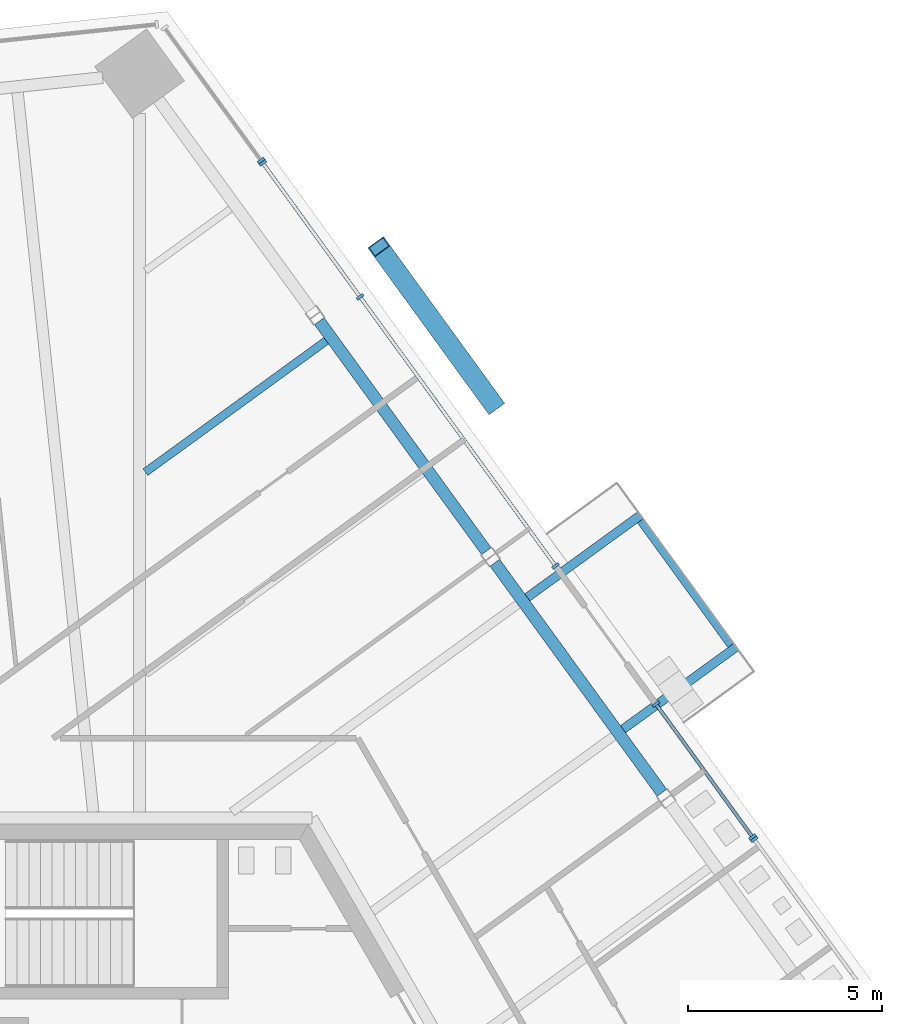
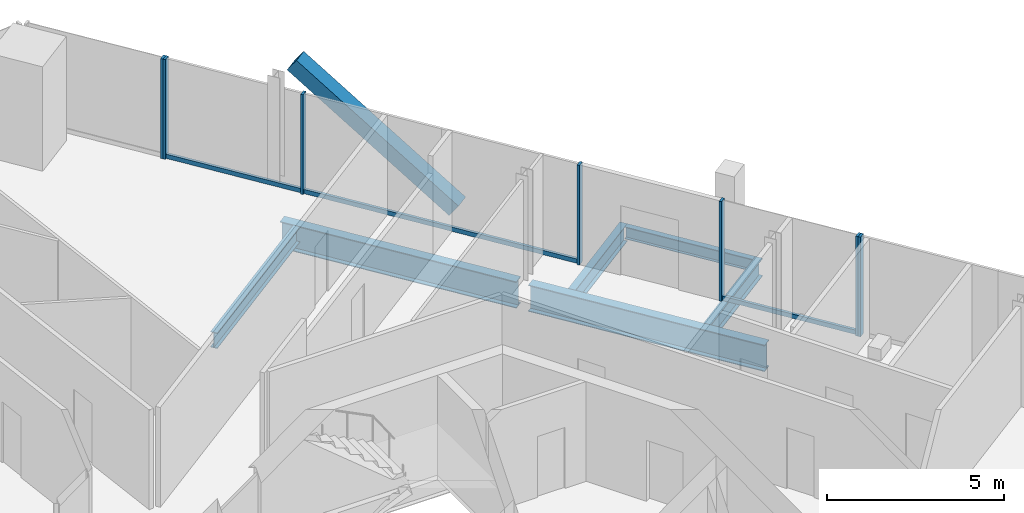
# One storey, part 9 of 19: 11 members, 6 beams, 4 elements without a shape of their own.
"""IFC4 building model written with IfcOpenShell, lengths in metres."""

import ifcopenshell
import ifcopenshell.guid

model = None  # the IFC model being written
_history = None  # IfcOwnerHistory: only IFC2X3 demands one
_inside = {}  # id of a spatial element -> (the spatial element, [elements in it])
_under = {}  # id of a project, library or spatial element -> (it, [spatial elements below it])
_declared = {}  # id of a project -> (the project, [libraries it declares])
_typed = {}  # id of a type object -> (the type object, [elements of that type])
_made_of = {}  # id of a material, layer set ... -> (it, [elements and type objects made of it])


def new_model(schema):
    """Start an empty IFC model of exactly this schema.

    Asked for "IFC4X3", IfcOpenShell would pick the latest addendum, in which some entities
    have other attributes; the version numbers below select the first issue.
    IFC2X3 requires an IfcOwnerHistory on every rooted entity: one is made here for all.
    """
    global model, _history
    if schema == "IFC4X3":
        model = ifcopenshell.file(schema_version=(4, 3, 0, 0))
    else:
        model = ifcopenshell.file(schema=schema)
    _inside.clear()
    _under.clear()
    _declared.clear()
    _typed.clear()
    _made_of.clear()
    _history = None
    if model.schema == "IFC2X3":
        org = make("IfcOrganization", Name="unknown")
        user = make(
            "IfcPersonAndOrganization",
            ThePerson=make("IfcPerson", FamilyName="unknown"),
            TheOrganization=org,
        )
        app = make(
            "IfcApplication",
            ApplicationDeveloper=org,
            Version="unknown",
            ApplicationFullName="unknown",
            ApplicationIdentifier="unknown",
        )
        _history = make(
            "IfcOwnerHistory",
            OwningUser=user,
            OwningApplication=app,
            ChangeAction="ADDED",
            CreationDate=0,
        )
    return model


def make(cls, **values):
    """One entity of the class cls with the attributes given. An attribute that is None is left unset."""
    return model.create_entity(
        cls, **{name: value for name, value in values.items() if value is not None}
    )


def rooted(cls, **values):
    """An entity with a GlobalId (a new one), such as an element, a storey or a relation."""
    return make(cls, GlobalId=ifcopenshell.guid.new(), OwnerHistory=_history, **values)


def si_unit(unit_type, name, prefix=None):
    """IfcSIUnit, for example si_unit("LENGTHUNIT", "METRE", prefix="MILLI")."""
    return make("IfcSIUnit", UnitType=unit_type, Prefix=prefix, Name=name)


def assignment(units):
    """IfcUnitAssignment: the units of a project."""
    return None if units is None else make("IfcUnitAssignment", Units=units)


def point(xyz):
    """IfcCartesianPoint."""
    return None if xyz is None else make("IfcCartesianPoint", Coordinates=xyz)


def direction(xyz):
    """IfcDirection."""
    return None if xyz is None else make("IfcDirection", DirectionRatios=xyz)


def frame(location, z_axis=None, x_axis=None):
    """IfcAxis2Placement3D, a coordinate frame: its origin and axes. An axis left out is left unset."""
    return make(
        "IfcAxis2Placement3D",
        Location=point(location),
        Axis=direction(z_axis),
        RefDirection=direction(x_axis),
    )


def frame_2d(location, x_axis=None):
    """IfcAxis2Placement2D, a coordinate frame in the plane: its origin and x axis."""
    return make(
        "IfcAxis2Placement2D", Location=point(location), RefDirection=direction(x_axis)
    )


def origin():
    """The frame at (0, 0, 0) with its axes left unset."""
    return frame((0.0, 0.0, 0.0))


def origin_2d():
    """The frame at (0, 0) in the plane with its x axis left unset."""
    return frame_2d((0.0, 0.0))


def place(relative_to, where):
    """IfcLocalPlacement: puts the frame where relative to a parent placement (None: the world)."""
    return make(
        "IfcLocalPlacement", PlacementRelTo=relative_to, RelativePlacement=where
    )


def context(
    kind, dimensions, precision=None, world=None, true_north=None, identifier=None
):
    """IfcGeometricRepresentationContext, for example the 3D "Model" context."""
    return make(
        "IfcGeometricRepresentationContext",
        ContextIdentifier=identifier,
        ContextType=kind,
        CoordinateSpaceDimension=dimensions,
        Precision=precision,
        WorldCoordinateSystem=world,
        TrueNorth=true_north,
    )


def subcontext(parent, identifier, kind, view, scale=None):
    """IfcGeometricRepresentationSubContext, for example "Body" below "Model"."""
    return make(
        "IfcGeometricRepresentationSubContext",
        ContextIdentifier=identifier,
        ContextType=kind,
        ParentContext=parent,
        TargetScale=scale,
        TargetView=view,
    )


def project(units=None, contexts=None):
    """IfcProject with its units and contexts."""
    return rooted(
        "IfcProject",
        Name="project",
        RepresentationContexts=contexts,
        UnitsInContext=assignment(units),
    )


def spatial(cls, under=None, at=None, **own):
    """A site, building, storey or space (cls), placed at a placement, below another one or the project."""
    s = rooted(cls, ObjectPlacement=at, **own)
    if under is not None:
        _under.setdefault(under.id(), (under, []))[1].append(s)
    return s


def profile(cls, at=None, kind="AREA", **sizes):
    """A parametric profile (cls). Its sizes go by their IFC names, for example OverallWidth=200.0."""
    return make(cls, ProfileType=kind, Position=at, **sizes)


def rectangle(**sizes):
    """IfcRectangleProfileDef."""
    return profile("IfcRectangleProfileDef", **sizes)


def hollow_rectangle(**sizes):
    """IfcRectangleHollowProfileDef."""
    return profile("IfcRectangleHollowProfileDef", **sizes)


def i_section(**sizes):
    """IfcIShapeProfileDef."""
    return profile("IfcIShapeProfileDef", **sizes)


def extrude(swept, where, along, depth):
    """IfcExtrudedAreaSolid: the profile swept, set in the frame where, extruded along a direction by depth."""
    return make(
        "IfcExtrudedAreaSolid",
        SweptArea=swept,
        Position=where,
        ExtrudedDirection=direction(along),
        Depth=depth,
    )


def shape(context_of_items, identifier, shape_type, items):
    """IfcShapeRepresentation: the items that make up one representation, for example the "Body"."""
    return make(
        "IfcShapeRepresentation",
        ContextOfItems=context_of_items,
        RepresentationIdentifier=identifier,
        RepresentationType=shape_type,
        Items=items,
    )


def source(mapping_origin, context_of_items, identifier, shape_type, items):
    """IfcRepresentationMap: a shape defined once, which mapped items show again and again."""
    return make(
        "IfcRepresentationMap",
        MappingOrigin=mapping_origin,
        MappedRepresentation=shape(context_of_items, identifier, shape_type, items),
    )


def transform(
    local_origin,
    x_axis=None,
    y_axis=None,
    z_axis=None,
    scale=None,
    scale2=None,
    scale3=None,
    uniform=True,
):
    """IfcCartesianTransformationOperator3D, or its non-uniform kind. x_axis, y_axis, z_axis: its Axis1, 2, 3."""
    if uniform:
        return make(
            "IfcCartesianTransformationOperator3D",
            Axis1=direction(x_axis),
            Axis2=direction(y_axis),
            LocalOrigin=point(local_origin),
            Scale=scale,
            Axis3=direction(z_axis),
        )
    return make(
        "IfcCartesianTransformationOperator3DnonUniform",
        Axis1=direction(x_axis),
        Axis2=direction(y_axis),
        LocalOrigin=point(local_origin),
        Scale=scale,
        Axis3=direction(z_axis),
        Scale2=scale2,
        Scale3=scale3,
    )


def mapped(mapping_source, mapping_target):
    """IfcMappedItem: shows the shape of a source again, moved by a transform."""
    return make(
        "IfcMappedItem", MappingSource=mapping_source, MappingTarget=mapping_target
    )


def material(Name=None, Category=None):
    """IfcMaterial."""
    return make("IfcMaterial", Name=Name, Category=Category)


def material_profile(
    of_material, cross_section, Name=None, Category=None, Priority=None
):
    """IfcMaterialProfile: a cross section and its material."""
    return make(
        "IfcMaterialProfile",
        Name=Name,
        Material=of_material,
        Profile=cross_section,
        Priority=Priority,
        Category=Category,
    )


def profile_set(profiles, Name=None, composite=None):
    """IfcMaterialProfileSet."""
    return make(
        "IfcMaterialProfileSet",
        Name=Name,
        MaterialProfiles=profiles,
        CompositeProfile=composite,
    )


def made_of(thing, what):
    """Note that an element or type object is made of a material, layer set ...; save() writes the relation."""
    if what is not None:
        _made_of.setdefault(what.id(), (what, []))[1].append(thing)
    return thing


def type_object(cls, material=None, **own):
    """A type object (cls), such as IfcWallType, which elements share."""
    return made_of(rooted(cls, **own), material)


def element(
    cls,
    number,
    at=None,
    inside=None,
    cuts=None,
    type_object=None,
    material=None,
    context=None,
    identifier="Body",
    shape_type=None,
    held_by="IfcProductDefinitionShape",
    body=None,
    shapes=None,
    **own,
):
    """One element of the class cls, such as IfcWall. Its Tag is "e" and its number.

    at: its placement. inside: the storey or other place that contains it. cuts: it is an
    opening in that element (IfcRelVoidsElement). A single representation is given by context,
    identifier, shape_type and body (its items); several are given by shapes. held_by: the class
    of the entity that holds the representations. save() writes the other relations.
    """
    e = rooted(cls, Tag="e%d" % number, ObjectPlacement=at, **own)
    if body is not None:
        shapes = [shape(context, identifier, shape_type, body)]
    if shapes is not None:
        e.Representation = make(held_by, Representations=shapes)
    if inside is not None:
        _inside.setdefault(inside.id(), (inside, []))[1].append(e)
    if cuts is not None:
        rooted(
            "IfcRelVoidsElement", RelatingBuildingElement=cuts, RelatedOpeningElement=e
        )
    if type_object is not None:
        _typed.setdefault(type_object.id(), (type_object, []))[1].append(e)
    return made_of(e, material)


def aggregate(whole, parts):
    """IfcRelAggregates: a whole, such as a stair, and the parts it consists of."""
    return rooted("IfcRelAggregates", RelatingObject=whole, RelatedObjects=parts)


def save(model, path):
    """Write the relations noted so far, then the file.

    IfcRelAggregates (storeys below a building ...), IfcRelContainedInSpatialStructure (elements
    in a storey), IfcRelDefinesByType, IfcRelAssociatesMaterial and IfcRelDeclares: one each for
    every whole, place, type object, material and project.
    """
    for whole, parts in _under.values():
        aggregate(whole, parts)
    for where, things in _inside.values():
        rooted(
            "IfcRelContainedInSpatialStructure",
            RelatedElements=things,
            RelatingStructure=where,
        )
    for kind, things in _typed.values():
        rooted("IfcRelDefinesByType", RelatedObjects=things, RelatingType=kind)
    for what, things in _made_of.values():
        rooted("IfcRelAssociatesMaterial", RelatedObjects=things, RelatingMaterial=what)
    for by, libraries in _declared.values():
        rooted("IfcRelDeclares", RelatingContext=by, RelatedDefinitions=libraries)
    model.write(path)


model = new_model("IFC4")

# Units and contexts
model_context = context("Model", 3, precision=1e-05, world=origin(), true_north=direction((0.0, 1.0)))
body_context = subcontext(model_context, "Body", "Model", "MODEL_VIEW")
ifc_project = project(units=[si_unit("LENGTHUNIT", "METRE"), si_unit("AREAUNIT", "SQUARE_METRE"), si_unit("VOLUMEUNIT", "CUBIC_METRE"), si_unit("PLANEANGLEUNIT", "RADIAN"), si_unit("MASSUNIT", "GRAM", prefix="KILO")], contexts=[model_context])

# Site, building, storey
site_placement = place(None, origin())
site = spatial("IfcSite", under=ifc_project, at=site_placement, CompositionType="ELEMENT")
building_placement = place(site_placement, origin())
building = spatial("IfcBuilding", under=site, at=building_placement, Name="Triune Harvest Tower", CompositionType="ELEMENT")
storey_placement = place(building_placement, frame((0.0, 0.0, 244.89990234375)))
storey = spatial("IfcBuildingStorey", under=building, at=storey_placement, Name="L64", CompositionType="ELEMENT", Elevation=244.89990234375)

# Curtain wall, member
ifc_material_1 = material(Name="Aluminium bronze anodised", Category="aluminium")
curtain_wall_type_1 = type_object("IfcCurtainWallType", Name="CW-10 Balcony window wall with insulated spandrel infill", PredefinedType="NOTDEFINED", material=ifc_material_1)
curtain_wall_1_placement = place(storey_placement, origin())
curtain_wall_1 = element("IfcCurtainWall", 1, at=curtain_wall_1_placement, inside=storey, type_object=curtain_wall_type_1, Name="CW-10 B6-F1 L64 run 2")
ifc_material_2 = material(Name="Aluminium bronze anodised", Category="aluminium")
ifc_material_profile_1 = material_profile(ifc_material_2, rectangle(XDim=0.090087890625, YDim=0.14990234375, at=origin_2d()), Name="TR-6 transom 90 x 150")
ifc_profile_set_1 = profile_set([ifc_material_profile_1], Name="Aluminium bronze anodised")
member_type_1 = type_object("IfcMemberType", Name="TR-6 transom 90 x 150", PredefinedType="USERDEFINED", material=ifc_profile_set_1)
member_1_placement = place(storey_placement, frame((7.3076171875, 23.973876953125, 0.0751953125), z_axis=(-0.587748056888, 0.809044017112, 0.0), x_axis=(-0.809044017112, -0.587748056888, 0.0)))
member_1 = element("IfcMember", 2, at=member_1_placement, type_object=member_type_1, Name="CW-10 transom B6-F1 2.2", ObjectType="TRANSOM", PredefinedType="USERDEFINED", context=body_context, shape_type="SweptSolid", body=[
    extrude(rectangle(XDim=0.090087890625, YDim=0.14990234375, at=origin_2d()), origin(), (0.0, 0.0, 1.0), 4.18115234375),
])

# Beams
ifc_material_3 = material(Name="Steel ASTM A992 Gr 50", Category="steel")
ifc_material_profile_2 = material_profile(ifc_material_3, i_section(OverallWidth=0.3046875, OverallDepth=0.914306640625, WebThickness=0.0166015625, FlangeThickness=0.02587890625, at=origin_2d()), Name="W36x160")
ifc_profile_set_2 = profile_set([ifc_material_profile_2], Name="Steel ASTM A992 Gr 50")
beam_type_1 = type_object("IfcBeamType", Name="SB-1 Spandrel beam W36x160", PredefinedType="SPANDREL", material=ifc_profile_set_2)
shared_shape_1 = source(origin(), body_context, "Body", "SweptSolid", [
    extrude(i_section(OverallWidth=0.3046875, OverallDepth=0.914306640625, WebThickness=0.0166015625, FlangeThickness=0.02587890625, at=origin_2d()), origin(), (0.0, 0.0, 1.0), 7.31103515625),
])
for number, where, z_axis, x_axis, name in (
    (3, (15.091552734375, 11.1923828125, -0.6171875), (-0.587786436325, 0.809016134124, 0.0), (-0.809016134124, -0.587786436325, 0.0), "beam/L64/SB4"),
    (4, (10.57763671875, 17.405029296875, -0.6171875), (-0.587786436325, 0.809016134124, 0.0), (-0.809016134124, -0.587786436325, 0.0), "beam/L64/SB5"),
):
    element("IfcBeam", number, at=place(storey_placement, frame(where, z_axis=z_axis, x_axis=x_axis)), inside=storey, type_object=beam_type_1, Name=name, PredefinedType="SPANDREL", context=body_context, shape_type="MappedRepresentation", body=[
        mapped(shared_shape_1, transform((0.0, 0.0, 0.0), scale=1.0)),
    ])
ifc_material_4 = material(Name="Steel ASTM A992 Gr 50", Category="steel")
ifc_material_profile_3 = material_profile(ifc_material_4, i_section(OverallWidth=0.2099609375, OverallDepth=0.535888671875, WebThickness=0.010986328125, FlangeThickness=0.017333984375, at=origin_2d()), Name="W21x68")
ifc_profile_set_3 = profile_set([ifc_material_profile_3], Name="Steel ASTM A992 Gr 50")
beam_type_2 = type_object("IfcBeamType", Name="JT-2 Floor joist W21x68", PredefinedType="JOIST", material=ifc_profile_set_3)
shared_shape_2 = source(origin(), body_context, "Body", "SweptSolid", [
    extrude(i_section(OverallWidth=0.2099609375, OverallDepth=0.535888671875, WebThickness=0.010986328125, FlangeThickness=0.017333984375, at=origin_2d()), origin(), (0.0, 0.0, 1.0), 5.745849609375),
])
beam_1_placement = place(storey_placement, frame((6.458984375, 22.814453125, -0.427978515625), z_axis=(-0.809024464979, -0.587774969751, 0.0), x_axis=(0.587774969751, -0.809024464979, 0.0)))
element("IfcBeam", 5, at=beam_1_placement, inside=storey, type_object=beam_type_2, Name="beam/L64/JT9", PredefinedType="JOIST", context=body_context, shape_type="MappedRepresentation", body=[
    mapped(shared_shape_2, transform((0.0, 0.0, 0.0), scale=1.0)),
])

# Member
ifc_material_5 = material(Name="Steel ASTM A572 Gr 50", Category="steel")
ifc_material_profile_4 = material_profile(ifc_material_5, hollow_rectangle(XDim=0.5, YDim=0.5, WallThickness=0.030029296875, at=origin_2d()), Name="Box 500x500x30")
ifc_profile_set_4 = profile_set([ifc_material_profile_4], Name="Steel ASTM A572 Gr 50")
member_type_2 = type_object("IfcMemberType", Name="BR-3 Brace Box 500x500x30", PredefinedType="BRACE", material=ifc_profile_set_4)
shared_shape_3 = source(origin(), body_context, "Body", "SweptSolid", [
    extrude(hollow_rectangle(XDim=0.5, YDim=0.5, WallThickness=0.030029296875, at=origin_2d()), origin(), (0.0, 0.0, 1.0), 6.1708984375),
])
member_2_placement = place(storey_placement, frame((10.761962890625, 21.176025390625, 0.0), z_axis=(-0.477406974246, 0.657062652547, 0.58339630747), x_axis=(-0.809003519911, -0.587803797854, 0.0)))
element("IfcMember", 6, at=member_2_placement, inside=storey, type_object=member_type_2, Name="brace/B6-F1/d1/8", PredefinedType="BRACE", context=body_context, shape_type="MappedRepresentation", body=[
    mapped(shared_shape_3, transform((0.0, 0.0, 0.0), scale=1.0)),
])

# Beams
ifc_material_6 = material(Name="Steel ASTM A992 Gr 50", Category="steel")
ifc_material_profile_5 = material_profile(ifc_material_6, i_section(OverallWidth=0.22900390625, OverallDepth=0.612060546875, WebThickness=0.011962890625, FlangeThickness=0.01953125, at=origin_2d()), Name="W24x84")
ifc_profile_set_5 = profile_set([ifc_material_profile_5], Name="Steel ASTM A992 Gr 50")
beam_type_3 = type_object("IfcBeamType", Name="BJ-3 Balcony cantilever joist W24x84", PredefinedType="JOIST", material=ifc_profile_set_5)
shared_shape_4 = source(origin(), body_context, "Body", "SweptSolid", [
    extrude(i_section(OverallWidth=0.22900390625, OverallDepth=0.612060546875, WebThickness=0.011962890625, FlangeThickness=0.01953125, at=origin_2d()), origin(), (0.0, 0.0, 1.0), 3.59765625),
])
for number, where, z_axis, x_axis, name in (
    (7, (11.6298828125, 16.216064453125, -0.466064453125), (0.809011831954, 0.58779235769, 0.0), (-0.58779235769, 0.809011831954, 0.0), "Balcony cantilever joist B6-F1 L64.7a"),
    (8, (14.092041015625, 12.8271484375, -0.466064453125), (0.809011831954, 0.58779235769, 0.0), (-0.58779235769, 0.809011831954, 0.0), "Balcony cantilever joist B6-F1 L64.7b"),
):
    element("IfcBeam", number, at=place(storey_placement, frame(where, z_axis=z_axis, x_axis=x_axis)), inside=storey, type_object=beam_type_3, Name=name, PredefinedType="JOIST", context=body_context, shape_type="MappedRepresentation", body=[
        mapped(shared_shape_4, transform((0.0, 0.0, 0.0), scale=1.0)),
    ])

# Curtain wall, member
curtain_wall_2_placement = place(storey_placement, origin())
curtain_wall_2 = element("IfcCurtainWall", 9, at=curtain_wall_2_placement, inside=storey, type_object=curtain_wall_type_1, Name="CW-10 B6-F1 L64 run 1001")
ifc_material_7 = material(Name="Aluminium bronze anodised", Category="aluminium")
ifc_material_profile_6 = material_profile(ifc_material_7, rectangle(XDim=0.199951171875, YDim=0.074951171875, at=origin_2d()), Name="MU-6 mullion 75 x 200")
ifc_profile_set_6 = profile_set([ifc_material_profile_6], Name="Aluminium bronze anodised")
member_type_3 = type_object("IfcMemberType", Name="MU-6 mullion 75 x 200", PredefinedType="MULLION", material=ifc_profile_set_6)
shared_shape_5 = source(origin(), body_context, "Body", "SweptSolid", [
    extrude(rectangle(XDim=0.199951171875, YDim=0.074951171875, at=origin_2d()), origin(), (0.0, 0.0, 1.0), 3.440185546875),
])
member_3_placement = place(storey_placement, frame((17.46484375, 9.99365234375, 0.0), z_axis=(0.0, 0.0, 1.0), x_axis=(-0.809016479558, -0.587785960877, 0.0)))
member_3 = element("IfcMember", 10, at=member_3_placement, type_object=member_type_3, Name="CW-10 mullion B6-F1 1001.5", PredefinedType="MULLION", context=body_context, shape_type="MappedRepresentation", body=[
    mapped(shared_shape_5, transform((0.0, 0.0, 0.0), scale=1.0)),
])
aggregate(curtain_wall_2, [member_3])

# Curtain wall, members
ifc_material_8 = material(Name="Aluminium bronze anodised", Category="aluminium")
curtain_wall_type_2 = type_object("IfcCurtainWallType", Name="CW-6 Balcony window wall", PredefinedType="NOTDEFINED", material=ifc_material_8)
curtain_wall_3_placement = place(storey_placement, origin())
curtain_wall_3 = element("IfcCurtainWall", 11, at=curtain_wall_3_placement, inside=storey, type_object=curtain_wall_type_2, Name="CW-6 B6-F1 L64 run 2001")
member_4_placement = place(storey_placement, frame((17.4208984375, 10.05419921875, 0.0), z_axis=(0.0, 0.0, 1.0), x_axis=(-0.80901858391, -0.587783064479, 0.0)))
member_4 = element("IfcMember", 12, at=member_4_placement, type_object=member_type_3, Name="CW-6 mullion B6-F1 2001.1", PredefinedType="MULLION", context=body_context, shape_type="MappedRepresentation", body=[
    mapped(shared_shape_5, transform((0.0, 0.0, 0.0), scale=1.0)),
])
member_5_placement = place(storey_placement, frame((14.936767578125, 13.473388671875, 0.0), z_axis=(0.0, 0.0, 1.0), x_axis=(-0.80901858391, -0.587783064479, 0.0)))
member_5 = element("IfcMember", 13, at=member_5_placement, type_object=member_type_3, Name="CW-6 mullion B6-F1 2001.2", PredefinedType="MULLION", context=body_context, shape_type="MappedRepresentation", body=[
    mapped(shared_shape_5, transform((0.0, 0.0, 0.0), scale=1.0)),
])

# Member
member_6_placement = place(storey_placement, frame((12.35546875, 17.026123046875, 0.0), z_axis=(0.0, 0.0, 1.0), x_axis=(-0.809018219837, -0.587783565585, 0.0)))
member_6 = element("IfcMember", 14, at=member_6_placement, type_object=member_type_3, Name="CW-10 mullion B6-F1 2.1", PredefinedType="MULLION", context=body_context, shape_type="MappedRepresentation", body=[
    mapped(shared_shape_5, transform((0.0, 0.0, 0.0), scale=1.0)),
])

member_7_placement = place(storey_placement, frame((7.329833984375, 23.943359375, 0.0), z_axis=(0.0, 0.0, 1.0), x_axis=(-0.809018219837, -0.587783565585, 0.0)))
member_7 = element("IfcMember", 15, at=member_7_placement, type_object=member_type_3, Name="CW-10 mullion B6-F1 2.3", PredefinedType="MULLION", context=body_context, shape_type="MappedRepresentation", body=[
    mapped(shared_shape_5, transform((0.0, 0.0, 0.0), scale=1.0)),
])

member_8_placement = place(storey_placement, frame((4.827880859375, 27.386962890625, 0.0), z_axis=(0.0, 0.0, 1.0), x_axis=(-0.809018219837, -0.587783565585, 0.0)))
member_8 = element("IfcMember", 16, at=member_8_placement, type_object=member_type_3, Name="CW-10 mullion B6-F1 2.4", PredefinedType="MULLION", context=body_context, shape_type="MappedRepresentation", body=[
    mapped(shared_shape_5, transform((0.0, 0.0, 0.0), scale=1.0)),
])

# Curtain wall, member
curtain_wall_4_placement = place(storey_placement, origin())
curtain_wall_4 = element("IfcCurtainWall", 17, at=curtain_wall_4_placement, inside=storey, type_object=curtain_wall_type_2, Name="CW-6 B6-F1 L64 run 1002")
member_9_placement = place(storey_placement, frame((4.783935546875, 27.44775390625, 0.0), z_axis=(0.0, 0.0, 1.0), x_axis=(-0.809012097992, -0.587791991527, 0.0)))
member_9 = element("IfcMember", 18, at=member_9_placement, type_object=member_type_3, Name="CW-6 mullion B6-F1 1002.1", PredefinedType="MULLION", context=body_context, shape_type="MappedRepresentation", body=[
    mapped(shared_shape_5, transform((0.0, 0.0, 0.0), scale=1.0)),
])
aggregate(curtain_wall_4, [member_9])

# Beam
ifc_material_9 = material(Name="Steel ASTM A992 Gr 50", Category="steel")
ifc_material_profile_7 = material_profile(ifc_material_9, i_section(OverallWidth=0.180908203125, OverallDepth=0.41650390625, WebThickness=0.010986328125, FlangeThickness=0.01806640625, at=origin_2d()), Name="W16x57")
ifc_profile_set_7 = profile_set([ifc_material_profile_7], Name="Steel ASTM A992 Gr 50")
beam_type_4 = type_object("IfcBeamType", Name="BE-1 balcony edge beam W16x57", PredefinedType="BEAM", material=ifc_profile_set_7)
shared_shape_6 = source(origin(), body_context, "Body", "SweptSolid", [
    extrude(i_section(OverallWidth=0.180908203125, OverallDepth=0.41650390625, WebThickness=0.010986328125, FlangeThickness=0.01806640625, at=origin_2d()), origin(), (0.0, 0.0, 1.0), 3.95947265625),
])
beam_2_placement = place(storey_placement, frame((14.53466796875, 18.184814453125, -0.3681640625), z_axis=(0.587786684519, -0.8090159538, 0.0), x_axis=(0.8090159538, 0.587786684519, 0.0)))
element("IfcBeam", 19, at=beam_2_placement, inside=storey, type_object=beam_type_4, Name="Balcony edge beam B6-F1 L64.7", PredefinedType="BEAM", context=body_context, shape_type="MappedRepresentation", body=[
    mapped(shared_shape_6, transform((0.0, 0.0, 0.0), scale=1.0)),
])

# Member
shared_shape_7 = source(origin(), body_context, "Body", "SweptSolid", [
    extrude(rectangle(XDim=0.090087890625, YDim=0.14990234375, at=origin_2d()), origin(), (0.0, 0.0, 1.0), 8.475341796875),
])
member_10_placement = place(storey_placement, frame((12.33349609375, 17.056396484375, 0.0751953125), z_axis=(-0.587786253445, 0.809016266994, 0.0), x_axis=(-0.809016266994, -0.587786253445, 0.0)))
member_10 = element("IfcMember", 20, at=member_10_placement, type_object=member_type_1, Name="CW-10 transom B6-F1 2.1", ObjectType="TRANSOM", PredefinedType="USERDEFINED", context=body_context, shape_type="MappedRepresentation", body=[
    mapped(shared_shape_7, transform((0.0, 0.0, 0.0), scale=1.0)),
])

aggregate(curtain_wall_1, [member_6, member_7, member_8, member_10, member_1])

shared_shape_8 = source(origin(), body_context, "Body", "SweptSolid", [
    extrude(rectangle(XDim=0.090087890625, YDim=0.14990234375, at=origin_2d()), origin(), (0.0, 0.0, 1.0), 4.151611328125),
])
member_11_placement = place(storey_placement, frame((17.39892578125, 10.08447265625, 0.0751953125), z_axis=(-0.587783498765, 0.809018268385, 0.0), x_axis=(-0.809018268385, -0.587783498765, 0.0)))
member_11 = element("IfcMember", 21, at=member_11_placement, type_object=member_type_1, Name="CW-6 transom B6-F1 2001.1", ObjectType="TRANSOM", PredefinedType="USERDEFINED", context=body_context, shape_type="MappedRepresentation", body=[
    mapped(shared_shape_8, transform((0.0, 0.0, 0.0), scale=1.0)),
])

aggregate(curtain_wall_3, [member_4, member_5, member_11])

save(model, "model.ifc")
